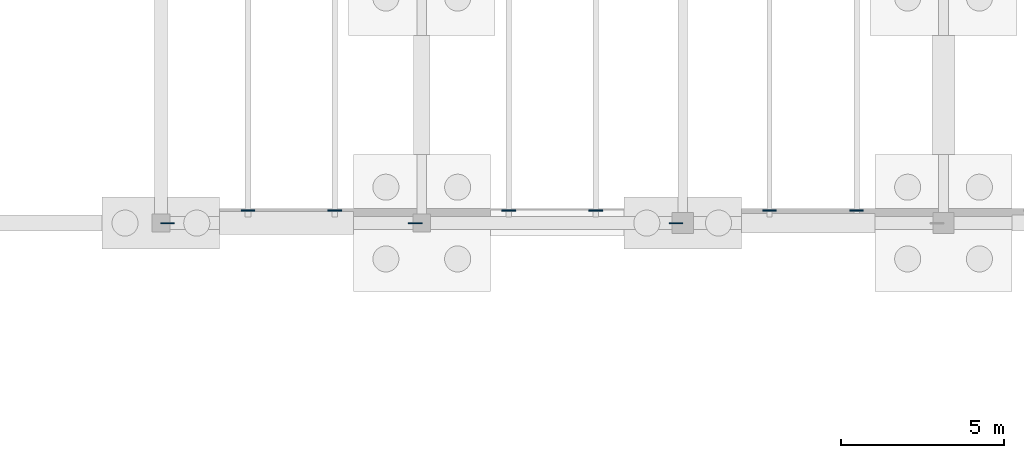
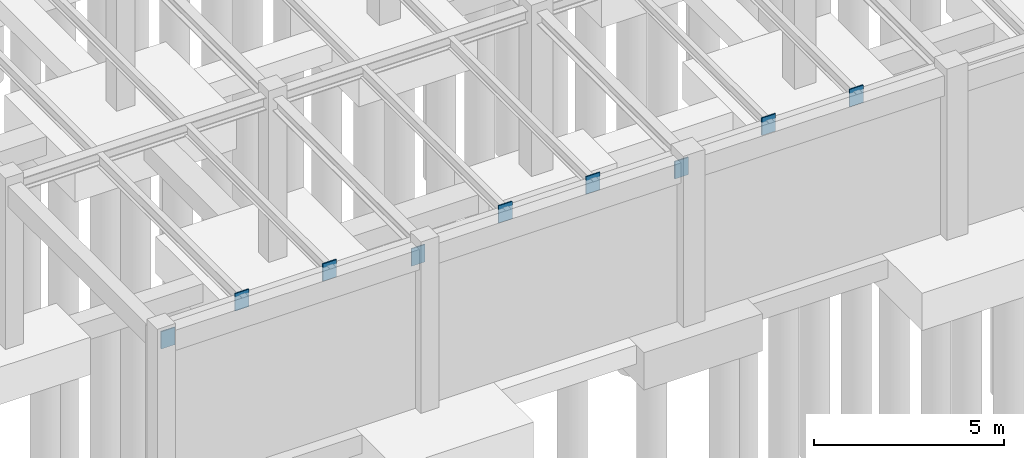
# One storey, part 42 of 71: 9 plates.
"""IFC4 building model written with IfcOpenShell, lengths in metres."""

from ifc_helpers import new_model, si_unit, direction, frame, origin, origin_2d, place, context, subcontext, project, spatial, rectangle, extrude, material, layer, layer_set, type_object, element, save


model = new_model("IFC4")

# Units and contexts
model_context = context("Model", 3, precision=1e-05, world=origin(), true_north=direction((0.0, 1.0)))
body_context = subcontext(model_context, "Body", "Model", "MODEL_VIEW")
ifc_project = project(units=[si_unit("LENGTHUNIT", "METRE"), si_unit("AREAUNIT", "SQUARE_METRE"), si_unit("VOLUMEUNIT", "CUBIC_METRE"), si_unit("PLANEANGLEUNIT", "RADIAN"), si_unit("MASSUNIT", "GRAM", prefix="KILO")], contexts=[model_context])

# Site, building, storey
site_placement = place(None, origin())
site = spatial("IfcSite", under=ifc_project, at=site_placement, CompositionType="ELEMENT")
building_placement = place(site_placement, origin())
building = spatial("IfcBuilding", under=site, at=building_placement, Name="Sundkrona Museum", CompositionType="ELEMENT")
storey_placement = place(building_placement, frame((0.0, 0.0, -5.39990234375)))
storey = spatial("IfcBuildingStorey", under=building, at=storey_placement, Name="B1", CompositionType="ELEMENT", Elevation=-5.39990234375)

# Plates
ifc_material = material(Name="Steel S355J2", Category="steel")
ifc_layer = layer(ifc_material, 0.034912109375)
ifc_layer_set = layer_set([ifc_layer], Name="Steel S355J2")
plate_type = type_object("IfcPlateType", Name="EP-1", PredefinedType="USERDEFINED", material=ifc_layer_set)
for number, where, z_axis, x_axis, name in (
    (1, (104.199951171875, 78.0, 4.514892578125), (0.0, 0.0, 1.0), (1.0, 0.0, 0.0), "Structural Wall Cast-In Embed Plate BM-B1-X-0109-1"),
    (2, (111.800048828125, 78.0, 4.514892578125), (0.0, 0.0, 1.0), (1.0, 0.0, 0.0), "Structural Wall Cast-In Embed Plate BM-B1-X-0109-2"),
    (3, (119.800048828125, 78.0, 4.514892578125), (0.0, 0.0, 1.0), (1.0, 0.0, 0.0), "Structural Wall Cast-In Embed Plate BM-B1-X-0110-2"),
    (4, (106.666748046875, 78.385498046875, 4.639892578125), (0.0, 0.0, 1.0), (1.0, 0.0, 0.0), "Structural Wall Cast-In Embed Plate JS-B1-0150-1"),
    (5, (109.333251953125, 78.385498046875, 4.659912109375), (0.0, 0.0, 1.0), (1.0, 0.0, 0.0), "Structural Wall Cast-In Embed Plate JS-B1-0151-1"),
    (6, (114.666748046875, 78.385498046875, 4.659912109375), (0.0, 0.0, 1.0), (1.0, 0.0, 0.0), "Structural Wall Cast-In Embed Plate JS-B1-0166-1"),
    (7, (117.333251953125, 78.385498046875, 4.659912109375), (0.0, 0.0, 1.0), (1.0, 0.0, 0.0), "Structural Wall Cast-In Embed Plate JS-B1-0167-1"),
    (8, (122.666748046875, 78.385498046875, 4.6748046875), (0.0, 0.0, 1.0), (1.0, 0.0, 0.0), "Structural Wall Cast-In Embed Plate JS-B1-0180-1"),
    (9, (125.333251953125, 78.385498046875, 4.659912109375), (0.0, 0.0, 1.0), (1.0, 0.0, 0.0), "Structural Wall Cast-In Embed Plate JS-B1-0181-1"),
):
    element("IfcPlate", number, at=place(storey_placement, frame(where, z_axis=z_axis, x_axis=x_axis)), inside=storey, type_object=plate_type, Name=name, ObjectType="GUSSET PLATE", PredefinedType="USERDEFINED", context=body_context, shape_type="SweptSolid", body=[
        extrude(rectangle(XDim=0.419921875, YDim=0.034912109375, at=origin_2d()), origin(), (0.0, 0.0, 1.0), 0.56005859375),
    ])

save(model, "model.ifc")
